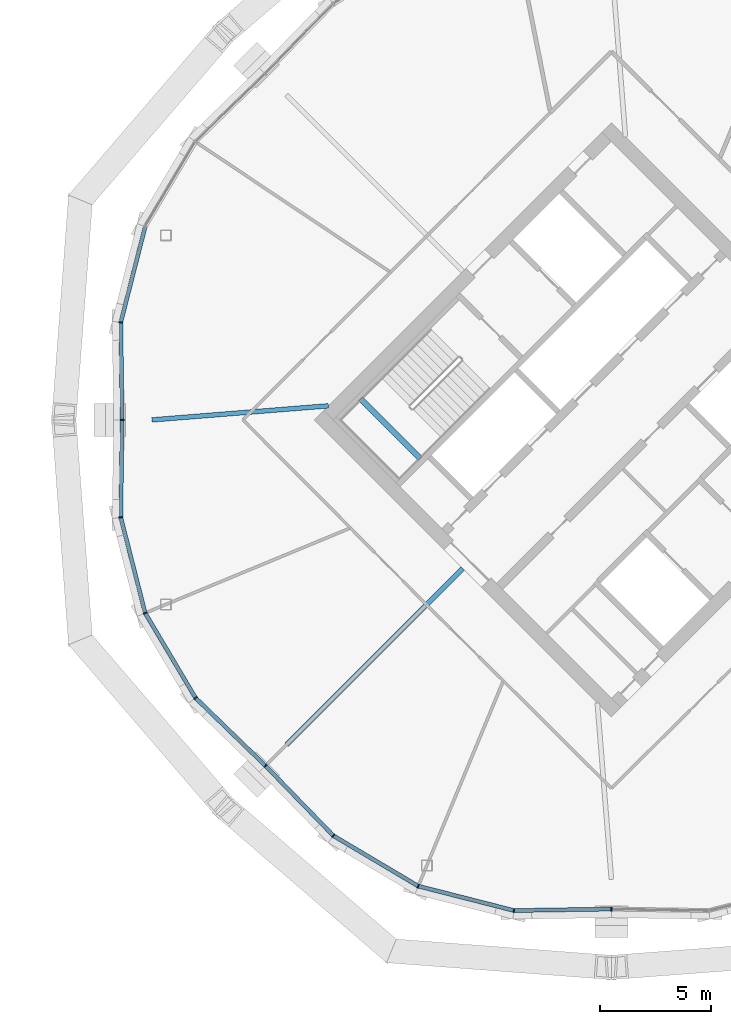
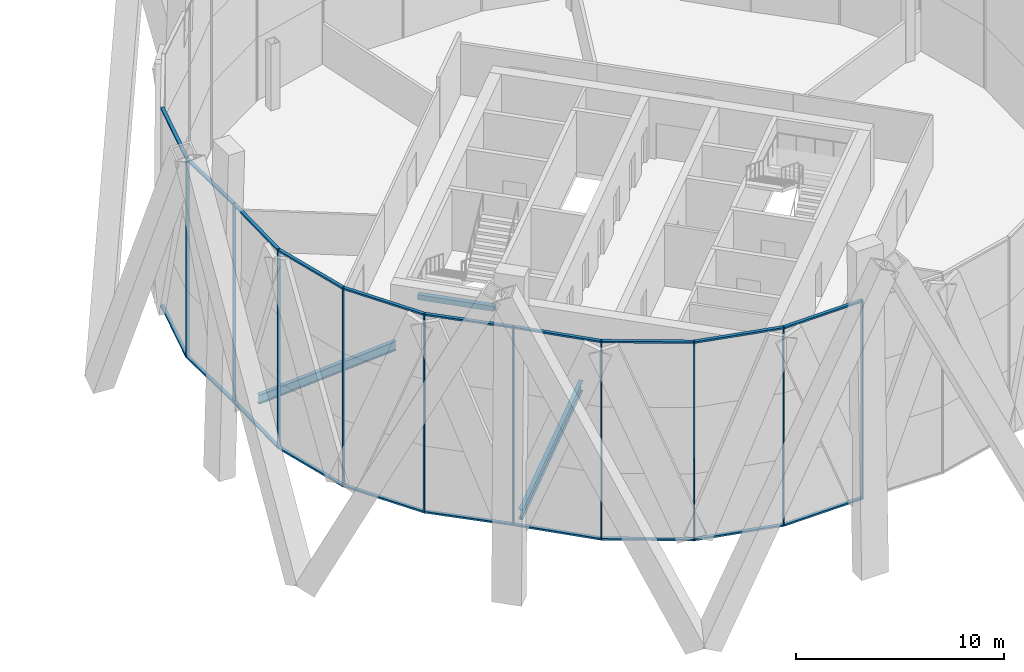
# One storey, part 8 of 23: 30 members, 3 beams, 3 elements without a shape of their own.
"""IFC4 building model written with IfcOpenShell, lengths in metres."""

from ifc_helpers import new_model, si_unit, direction, frame, origin, origin_2d, place, context, subcontext, project, spatial, rectangle, i_section, extrude, material, material_profile, profile_set, type_object, element, aggregate, save


model = new_model("IFC4")

# Units and contexts
model_context = context("Model", 3, precision=1e-05, world=origin(), true_north=direction((0.0, 1.0)))
body_context = subcontext(model_context, "Body", "Model", "MODEL_VIEW")
ifc_project = project(units=[si_unit("LENGTHUNIT", "METRE"), si_unit("AREAUNIT", "SQUARE_METRE"), si_unit("VOLUMEUNIT", "CUBIC_METRE"), si_unit("PLANEANGLEUNIT", "RADIAN"), si_unit("MASSUNIT", "GRAM", prefix="KILO")], contexts=[model_context])

# Site, building, storey
site_placement = place(None, origin())
site = spatial("IfcSite", under=ifc_project, at=site_placement, CompositionType="ELEMENT")
building_placement = place(site_placement, origin())
building = spatial("IfcBuilding", under=site, at=building_placement, Name="Ogive Gate Towers", CompositionType="ELEMENT")
storey_placement = place(building_placement, frame((0.0, 0.0, 165.60009765625)))
storey = spatial("IfcBuildingStorey", under=building, at=storey_placement, Name="L39", CompositionType="ELEMENT", Elevation=165.60009765625)

# Beams
ifc_material_1 = material(Name="Concrete C40/50", Category="concrete")
ifc_material_profile_1 = material_profile(ifc_material_1, rectangle(XDim=0.25, YDim=0.300048828125, at=origin_2d()), Name="RC 250x300")
ifc_profile_set_1 = profile_set([ifc_material_profile_1], Name="Concrete C40/50")
beam_type_1 = type_object("IfcBeamType", Name="Landing bearer RC 250x300", PredefinedType="BEAM", material=ifc_profile_set_1)
beam_1_placement = place(storey_placement, frame((24.650390625, 0.9541015625, 1.599853515625), z_axis=(0.707106781187, -0.707106781187, 0.0), x_axis=(0.707106781187, 0.707106781187, 0.0)))
element("IfcBeam", 1, at=beam_1_placement, inside=storey, type_object=beam_type_1, Name="T2 L39 stair 1 landing bearer 1", PredefinedType="BEAM", context=body_context, shape_type="SweptSolid", body=[
    extrude(rectangle(XDim=0.25, YDim=0.300048828125, at=origin_2d()), origin(), (0.0, 0.0, 1.0), 3.824951171875),
])
ifc_material_2 = material(Name="Steel SM355", Category="steel")
ifc_material_profile_2 = material_profile(ifc_material_2, i_section(OverallWidth=0.2099609375, OverallDepth=0.550048828125, WebThickness=0.010986328125, FlangeThickness=0.01708984375, FilletRadius=0.02392578125, at=origin_2d()), Name="IPE 550")
ifc_profile_set_2 = profile_set([ifc_material_profile_2], Name="Steel SM355")
beam_type_2 = type_object("IfcBeamType", Name="Radial floor beam IPE 550", PredefinedType="BEAM", material=ifc_profile_set_2)
beam_2_placement = place(storey_placement, frame((23.201416015625, 0.636474609375, -0.5751953125), z_axis=(-0.996833967566, -0.079511264027, 0.0), x_axis=(0.079511264027, -0.996833967566, 0.0)))
element("IfcBeam", 2, at=beam_2_placement, inside=storey, type_object=beam_type_2, Name="T2/L39/SBM008", PredefinedType="BEAM", context=body_context, shape_type="SweptSolid", body=[
    extrude(i_section(OverallWidth=0.2099609375, OverallDepth=0.550048828125, WebThickness=0.010986328125, FlangeThickness=0.01708984375, FilletRadius=0.02392578125, at=origin_2d()), origin(), (0.0, 0.0, 1.0), 8.0048828125),
])
ifc_material_profile_3 = material_profile(ifc_material_2, i_section(OverallWidth=0.219970703125, OverallDepth=0.60009765625, WebThickness=0.011962890625, FlangeThickness=0.01904296875, FilletRadius=0.02392578125, at=origin_2d()), Name="IPE 600")
ifc_profile_set_3 = profile_set([ifc_material_profile_3], Name="Steel SM355")
beam_type_3 = type_object("IfcBeamType", Name="Radial floor beam IPE 600", PredefinedType="BEAM", material=ifc_profile_set_3)
beam_3_placement = place(storey_placement, frame((29.282470703125, -6.717529296875, -0.60009765625), z_axis=(-0.707106781187, -0.707106781187, 0.0), x_axis=(0.707106781187, -0.707106781187, 0.0)))
element("IfcBeam", 3, at=beam_3_placement, inside=storey, type_object=beam_type_3, Name="T2/L39/SBM001", PredefinedType="BEAM", context=body_context, shape_type="SweptSolid", body=[
    extrude(i_section(OverallWidth=0.219970703125, OverallDepth=0.60009765625, WebThickness=0.011962890625, FlangeThickness=0.01904296875, FilletRadius=0.02392578125, at=origin_2d()), origin(), (0.0, 0.0, 1.0), 11.278076171875),
])

# Curtain wall, members
ifc_material_3 = material(Name="Pale metal aluminium", Category="aluminium")
curtain_wall_type = type_object("IfcCurtainWallType", Name="Tower unitised wall, high zone", PredefinedType="NOTDEFINED", material=ifc_material_3)
curtain_wall_1_placement = place(storey_placement, origin())
curtain_wall_1 = element("IfcCurtainWall", 4, at=curtain_wall_1_placement, inside=storey, type_object=curtain_wall_type, Name="CW2 T2 ECW04", PredefinedType="NOTDEFINED")
ifc_material_profile_4 = material_profile(ifc_material_3, rectangle(XDim=0.179931640625, YDim=0.06005859375, at=origin_2d()), Name="60 x 180 aluminium box")
ifc_profile_set_4 = profile_set([ifc_material_profile_4], Name="Pale metal aluminium")
member_type_1 = type_object("IfcMemberType", Name="Tower unitised wall, high zone mullion 60 x 180", PredefinedType="MULLION", material=ifc_profile_set_4)
member_1_placement = place(storey_placement, frame((13.8125, 4.406005859375, -0.300048828125), z_axis=(0.0, 0.0, 1.0), x_axis=(-0.993138030198, 0.116948078113, 0.0)))
member_1 = element("IfcMember", 5, at=member_1_placement, type_object=member_type_1, Name="CW2 mullion", PredefinedType="MULLION", context=body_context, shape_type="SweptSolid", body=[
    extrude(rectangle(XDim=0.179931640625, YDim=0.06005859375, at=origin_2d()), origin(), (0.0, 0.0, 1.0), 11.699951171875),
])
member_2_placement = place(storey_placement, frame((13.8798828125, 0.000244140625, -0.300048828125), z_axis=(0.0, 0.0, 1.0), x_axis=(-0.99988339091, -0.015271037347, 0.0)))
member_2 = element("IfcMember", 6, at=member_2_placement, type_object=member_type_1, Name="CW2 mullion", PredefinedType="MULLION", context=body_context, shape_type="SweptSolid", body=[
    extrude(rectangle(XDim=0.179931640625, YDim=0.06005859375, at=origin_2d()), origin(), (0.0, 0.0, 1.0), 11.699951171875),
])

curtain_wall_2_placement = place(storey_placement, origin())
curtain_wall_2 = element("IfcCurtainWall", 7, at=curtain_wall_2_placement, inside=storey, type_object=curtain_wall_type, Name="CW2 T2 ECW05", PredefinedType="NOTDEFINED")
member_3_placement = place(storey_placement, frame((13.8125, -4.406005859375, -0.300048828125), z_axis=(0.0, 0.0, 1.0), x_axis=(-0.993138030198, -0.116948078113, 0.0)))
member_3 = element("IfcMember", 8, at=member_3_placement, type_object=member_type_1, Name="CW2 mullion", PredefinedType="MULLION", context=body_context, shape_type="SweptSolid", body=[
    extrude(rectangle(XDim=0.179931640625, YDim=0.06005859375, at=origin_2d()), origin(), (0.0, 0.0, 1.0), 11.699951171875),
])
member_4_placement = place(storey_placement, frame((14.916015625, -8.7333984375, -0.300048828125), z_axis=(0.0, 0.0, 1.0), x_axis=(-0.923879532511, -0.382683432365, 0.0)))
member_4 = element("IfcMember", 9, at=member_4_placement, type_object=member_type_1, Name="CW2 mullion", PredefinedType="MULLION", context=body_context, shape_type="SweptSolid", body=[
    extrude(rectangle(XDim=0.179931640625, YDim=0.06005859375, at=origin_2d()), origin(), (0.0, 0.0, 1.0), 11.699951171875),
])
member_5_placement = place(storey_placement, frame((17.195556640625, -12.5732421875, -0.300048828125), z_axis=(0.0, 0.0, 1.0), x_axis=(-0.784949414887, -0.619559856727, 0.0)))
member_5 = element("IfcMember", 10, at=member_5_placement, type_object=member_type_1, Name="CW2 mullion", PredefinedType="MULLION", context=body_context, shape_type="SweptSolid", body=[
    extrude(rectangle(XDim=0.179931640625, YDim=0.06005859375, at=origin_2d()), origin(), (0.0, 0.0, 1.0), 11.699951171875),
])
member_6_placement = place(storey_placement, frame((20.358642578125, -15.64111328125, -0.300048828125), z_axis=(0.0, 0.0, 1.0), x_axis=(-0.696238600306, -0.717810428625, 0.0)))
member_6 = element("IfcMember", 11, at=member_6_placement, type_object=member_type_1, Name="CW2 mullion", PredefinedType="MULLION", context=body_context, shape_type="SweptSolid", body=[
    extrude(rectangle(XDim=0.179931640625, YDim=0.06005859375, at=origin_2d()), origin(), (0.0, 0.0, 1.0), 11.699951171875),
])

curtain_wall_3_placement = place(storey_placement, origin())
curtain_wall_3 = element("IfcCurtainWall", 12, at=curtain_wall_3_placement, inside=storey, type_object=curtain_wall_type, Name="CW2 T2 ECW06", PredefinedType="NOTDEFINED")
member_7_placement = place(storey_placement, frame((23.4267578125, -18.804443359375, -0.300048828125), z_axis=(0.0, 0.0, 1.0), x_axis=(-0.619559856727, -0.784949414887, 0.0)))
member_7 = element("IfcMember", 13, at=member_7_placement, type_object=member_type_1, Name="CW2 mullion", PredefinedType="MULLION", context=body_context, shape_type="SweptSolid", body=[
    extrude(rectangle(XDim=0.179931640625, YDim=0.06005859375, at=origin_2d()), origin(), (0.0, 0.0, 1.0), 11.699951171875),
])
member_8_placement = place(storey_placement, frame((27.2666015625, -21.083984375, -0.300048828125), z_axis=(0.0, 0.0, 1.0), x_axis=(-0.382683432365, -0.923879532511, 0.0)))
member_8 = element("IfcMember", 14, at=member_8_placement, type_object=member_type_1, Name="CW2 mullion", PredefinedType="MULLION", context=body_context, shape_type="SweptSolid", body=[
    extrude(rectangle(XDim=0.179931640625, YDim=0.06005859375, at=origin_2d()), origin(), (0.0, 0.0, 1.0), 11.699951171875),
])
member_9_placement = place(storey_placement, frame((31.593994140625, -22.1875, -0.300048828125), z_axis=(0.0, 0.0, 1.0), x_axis=(-0.116948078113, -0.993138030198, 0.0)))
member_9 = element("IfcMember", 15, at=member_9_placement, type_object=member_type_1, Name="CW2 mullion", PredefinedType="MULLION", context=body_context, shape_type="SweptSolid", body=[
    extrude(rectangle(XDim=0.179931640625, YDim=0.06005859375, at=origin_2d()), origin(), (0.0, 0.0, 1.0), 11.699951171875),
])
member_10_placement = place(storey_placement, frame((35.999755859375, -22.1201171875, -0.300048828125), z_axis=(0.0, 0.0, 1.0), x_axis=(0.015271037347, -0.99988339091, 0.0)))
member_10 = element("IfcMember", 16, at=member_10_placement, type_object=member_type_1, Name="CW2 mullion", PredefinedType="MULLION", context=body_context, shape_type="SweptSolid", body=[
    extrude(rectangle(XDim=0.179931640625, YDim=0.06005859375, at=origin_2d()), origin(), (0.0, 0.0, 1.0), 11.699951171875),
])

# Member
ifc_material_profile_5 = material_profile(ifc_material_3, rectangle(XDim=0.179931640625, YDim=0.10009765625, at=origin_2d()), Name="100 x 180 aluminium box")
ifc_profile_set_5 = profile_set([ifc_material_profile_5], Name="Pale metal aluminium")
member_type_2 = type_object("IfcMemberType", Name="Tower unitised wall, high zone transom 100 x 180", PredefinedType="USERDEFINED", material=ifc_profile_set_5)
member_11_placement = place(storey_placement, frame((14.9091796875, 8.70556640625, 11.349853515625), z_axis=(-0.247106686967, -0.968988279215, 0.0), x_axis=(0.968988279215, -0.247106686967, 0.0)))
member_11 = element("IfcMember", 17, at=member_11_placement, type_object=member_type_2, Name="CW2 transom", ObjectType="TRANSOM", PredefinedType="USERDEFINED", context=body_context, shape_type="SweptSolid", body=[
    extrude(rectangle(XDim=0.179931640625, YDim=0.10009765625, at=origin_2d()), origin(), (0.0, 0.0, 1.0), 4.408447265625),
])

member_12_placement = place(storey_placement, frame((14.9091796875, 8.70556640625, -0.25), z_axis=(-0.247106686967, -0.968988279215, 0.0), x_axis=(0.968988279215, -0.247106686967, 0.0)))
member_12 = element("IfcMember", 18, at=member_12_placement, type_object=member_type_2, Name="CW2 transom", ObjectType="TRANSOM", PredefinedType="USERDEFINED", context=body_context, shape_type="SweptSolid", body=[
    extrude(rectangle(XDim=0.179931640625, YDim=0.10009765625, at=origin_2d()), origin(), (0.0, 0.0, 1.0), 4.408447265625),
])

member_13_placement = place(storey_placement, frame((13.813232421875, 4.37744140625, 11.349853515625), z_axis=(0.015216972107, -0.999884215177, 0.0), x_axis=(0.999884215177, 0.015216972107, 0.0)))
member_13 = element("IfcMember", 19, at=member_13_placement, type_object=member_type_2, Name="CW2 transom", ObjectType="TRANSOM", PredefinedType="USERDEFINED", context=body_context, shape_type="SweptSolid", body=[
    extrude(rectangle(XDim=0.179931640625, YDim=0.10009765625, at=origin_2d()), origin(), (0.0, 0.0, 1.0), 4.347900390625),
])

member_14_placement = place(storey_placement, frame((13.813232421875, 4.37744140625, -0.25), z_axis=(0.015216972107, -0.999884215177, 0.0), x_axis=(0.999884215177, 0.015216972107, 0.0)))
member_14 = element("IfcMember", 20, at=member_14_placement, type_object=member_type_2, Name="CW2 transom", ObjectType="TRANSOM", PredefinedType="USERDEFINED", context=body_context, shape_type="SweptSolid", body=[
    extrude(rectangle(XDim=0.179931640625, YDim=0.10009765625, at=origin_2d()), origin(), (0.0, 0.0, 1.0), 4.347900390625),
])

aggregate(curtain_wall_1, [member_1, member_11, member_12, member_2, member_13, member_14])

member_15_placement = place(storey_placement, frame((13.87939453125, -0.030029296875, 11.349853515625), z_axis=(-0.015216972107, -0.999884215177, 0.0), x_axis=(0.999884215177, -0.015216972107, 0.0)))
member_15 = element("IfcMember", 21, at=member_15_placement, type_object=member_type_2, Name="CW2 transom", ObjectType="TRANSOM", PredefinedType="USERDEFINED", context=body_context, shape_type="SweptSolid", body=[
    extrude(rectangle(XDim=0.179931640625, YDim=0.10009765625, at=origin_2d()), origin(), (0.0, 0.0, 1.0), 4.347900390625),
])

member_16_placement = place(storey_placement, frame((13.87939453125, -0.030029296875, -0.25), z_axis=(-0.015216972107, -0.999884215177, 0.0), x_axis=(0.999884215177, -0.015216972107, 0.0)))
member_16 = element("IfcMember", 22, at=member_16_placement, type_object=member_type_2, Name="CW2 transom", ObjectType="TRANSOM", PredefinedType="USERDEFINED", context=body_context, shape_type="SweptSolid", body=[
    extrude(rectangle(XDim=0.179931640625, YDim=0.10009765625, at=origin_2d()), origin(), (0.0, 0.0, 1.0), 4.347900390625),
])

member_17_placement = place(storey_placement, frame((13.81982421875, -4.433837890625, 11.349853515625), z_axis=(0.247106686967, -0.968988279215, 0.0), x_axis=(0.968988279215, 0.247106686967, 0.0)))
member_17 = element("IfcMember", 23, at=member_17_placement, type_object=member_type_2, Name="CW2 transom", ObjectType="TRANSOM", PredefinedType="USERDEFINED", context=body_context, shape_type="SweptSolid", body=[
    extrude(rectangle(XDim=0.179931640625, YDim=0.10009765625, at=origin_2d()), origin(), (0.0, 0.0, 1.0), 4.408447265625),
])

member_18_placement = place(storey_placement, frame((13.81982421875, -4.433837890625, -0.25), z_axis=(0.247106686967, -0.968988279215, 0.0), x_axis=(0.968988279215, 0.247106686967, 0.0)))
member_18 = element("IfcMember", 24, at=member_18_placement, type_object=member_type_2, Name="CW2 transom", ObjectType="TRANSOM", PredefinedType="USERDEFINED", context=body_context, shape_type="SweptSolid", body=[
    extrude(rectangle(XDim=0.179931640625, YDim=0.10009765625, at=origin_2d()), origin(), (0.0, 0.0, 1.0), 4.408447265625),
])

member_19_placement = place(storey_placement, frame((14.930908203125, -8.7578125, 11.349853515625), z_axis=(0.5104504611, -0.859907161712, 0.0), x_axis=(0.859907161712, 0.5104504611, 0.0)))
member_19 = element("IfcMember", 25, at=member_19_placement, type_object=member_type_2, Name="CW2 transom", ObjectType="TRANSOM", PredefinedType="USERDEFINED", context=body_context, shape_type="SweptSolid", body=[
    extrude(rectangle(XDim=0.179931640625, YDim=0.10009765625, at=origin_2d()), origin(), (0.0, 0.0, 1.0), 4.408447265625),
])

member_20_placement = place(storey_placement, frame((14.930908203125, -8.7578125, -0.25), z_axis=(0.5104504611, -0.859907161712, 0.0), x_axis=(0.859907161712, 0.5104504611, 0.0)))
member_20 = element("IfcMember", 26, at=member_20_placement, type_object=member_type_2, Name="CW2 transom", ObjectType="TRANSOM", PredefinedType="USERDEFINED", context=body_context, shape_type="SweptSolid", body=[
    extrude(rectangle(XDim=0.179931640625, YDim=0.10009765625, at=origin_2d()), origin(), (0.0, 0.0, 1.0), 4.408447265625),
])

member_21_placement = place(storey_placement, frame((17.21630859375, -12.59326171875, 11.349853515625), z_axis=(0.717834056166, -0.696214239877, 0.0), x_axis=(0.696214239877, 0.717834056166, 0.0)))
member_21 = element("IfcMember", 27, at=member_21_placement, type_object=member_type_2, Name="CW2 transom", ObjectType="TRANSOM", PredefinedType="USERDEFINED", context=body_context, shape_type="SweptSolid", body=[
    extrude(rectangle(XDim=0.179931640625, YDim=0.10009765625, at=origin_2d()), origin(), (0.0, 0.0, 1.0), 4.34765625),
])

member_22_placement = place(storey_placement, frame((17.21630859375, -12.59326171875, -0.25), z_axis=(0.717834056166, -0.696214239877, 0.0), x_axis=(0.696214239877, 0.717834056166, 0.0)))
member_22 = element("IfcMember", 28, at=member_22_placement, type_object=member_type_2, Name="CW2 transom", ObjectType="TRANSOM", PredefinedType="USERDEFINED", context=body_context, shape_type="SweptSolid", body=[
    extrude(rectangle(XDim=0.179931640625, YDim=0.10009765625, at=origin_2d()), origin(), (0.0, 0.0, 1.0), 4.34765625),
])

aggregate(curtain_wall_2, [member_3, member_15, member_16, member_4, member_17, member_18, member_5, member_19, member_20, member_6, member_21, member_22])

member_23_placement = place(storey_placement, frame((20.3798828125, -15.662841796875, 11.349853515625), z_axis=(0.696214239877, -0.717834056166, 0.0), x_axis=(0.717834056166, 0.696214239877, 0.0)))
member_23 = element("IfcMember", 29, at=member_23_placement, type_object=member_type_2, Name="CW2 transom", ObjectType="TRANSOM", PredefinedType="USERDEFINED", context=body_context, shape_type="SweptSolid", body=[
    extrude(rectangle(XDim=0.179931640625, YDim=0.10009765625, at=origin_2d()), origin(), (0.0, 0.0, 1.0), 4.34765625),
])

member_24_placement = place(storey_placement, frame((20.3798828125, -15.662841796875, -0.25), z_axis=(0.696214239877, -0.717834056166, 0.0), x_axis=(0.717834056166, 0.696214239877, 0.0)))
member_24 = element("IfcMember", 30, at=member_24_placement, type_object=member_type_2, Name="CW2 transom", ObjectType="TRANSOM", PredefinedType="USERDEFINED", context=body_context, shape_type="SweptSolid", body=[
    extrude(rectangle(XDim=0.179931640625, YDim=0.10009765625, at=origin_2d()), origin(), (0.0, 0.0, 1.0), 4.34765625),
])

member_25_placement = place(storey_placement, frame((23.451416015625, -18.81884765625, 11.349853515625), z_axis=(0.859907161712, -0.5104504611, 0.0), x_axis=(0.5104504611, 0.859907161712, 0.0)))
member_25 = element("IfcMember", 31, at=member_25_placement, type_object=member_type_2, Name="CW2 transom", ObjectType="TRANSOM", PredefinedType="USERDEFINED", context=body_context, shape_type="SweptSolid", body=[
    extrude(rectangle(XDim=0.179931640625, YDim=0.10009765625, at=origin_2d()), origin(), (0.0, 0.0, 1.0), 4.408447265625),
])

member_26_placement = place(storey_placement, frame((23.451416015625, -18.81884765625, -0.25), z_axis=(0.859907161712, -0.5104504611, 0.0), x_axis=(0.5104504611, 0.859907161712, 0.0)))
member_26 = element("IfcMember", 32, at=member_26_placement, type_object=member_type_2, Name="CW2 transom", ObjectType="TRANSOM", PredefinedType="USERDEFINED", context=body_context, shape_type="SweptSolid", body=[
    extrude(rectangle(XDim=0.179931640625, YDim=0.10009765625, at=origin_2d()), origin(), (0.0, 0.0, 1.0), 4.408447265625),
])

member_27_placement = place(storey_placement, frame((27.29443359375, -21.0908203125, 11.349853515625), z_axis=(0.968988279215, -0.247106686967, 0.0), x_axis=(0.247106686967, 0.968988279215, 0.0)))
member_27 = element("IfcMember", 33, at=member_27_placement, type_object=member_type_2, Name="CW2 transom", ObjectType="TRANSOM", PredefinedType="USERDEFINED", context=body_context, shape_type="SweptSolid", body=[
    extrude(rectangle(XDim=0.179931640625, YDim=0.10009765625, at=origin_2d()), origin(), (0.0, 0.0, 1.0), 4.408447265625),
])

member_28_placement = place(storey_placement, frame((27.29443359375, -21.0908203125, -0.25), z_axis=(0.968988279215, -0.247106686967, 0.0), x_axis=(0.247106686967, 0.968988279215, 0.0)))
member_28 = element("IfcMember", 34, at=member_28_placement, type_object=member_type_2, Name="CW2 transom", ObjectType="TRANSOM", PredefinedType="USERDEFINED", context=body_context, shape_type="SweptSolid", body=[
    extrude(rectangle(XDim=0.179931640625, YDim=0.10009765625, at=origin_2d()), origin(), (0.0, 0.0, 1.0), 4.408447265625),
])

member_29_placement = place(storey_placement, frame((31.62255859375, -22.186767578125, 11.349853515625), z_axis=(0.999884215177, 0.015216972107, 0.0), x_axis=(-0.015216972107, 0.999884215177, 0.0)))
member_29 = element("IfcMember", 35, at=member_29_placement, type_object=member_type_2, Name="CW2 transom", ObjectType="TRANSOM", PredefinedType="USERDEFINED", context=body_context, shape_type="SweptSolid", body=[
    extrude(rectangle(XDim=0.179931640625, YDim=0.10009765625, at=origin_2d()), origin(), (0.0, 0.0, 1.0), 4.347900390625),
])

member_30_placement = place(storey_placement, frame((31.62255859375, -22.186767578125, -0.25), z_axis=(0.999884215177, 0.015216972107, 0.0), x_axis=(-0.015216972107, 0.999884215177, 0.0)))
member_30 = element("IfcMember", 36, at=member_30_placement, type_object=member_type_2, Name="CW2 transom", ObjectType="TRANSOM", PredefinedType="USERDEFINED", context=body_context, shape_type="SweptSolid", body=[
    extrude(rectangle(XDim=0.179931640625, YDim=0.10009765625, at=origin_2d()), origin(), (0.0, 0.0, 1.0), 4.347900390625),
])

aggregate(curtain_wall_3, [member_7, member_23, member_24, member_8, member_25, member_26, member_9, member_27, member_28, member_10, member_29, member_30])

save(model, "model.ifc")
